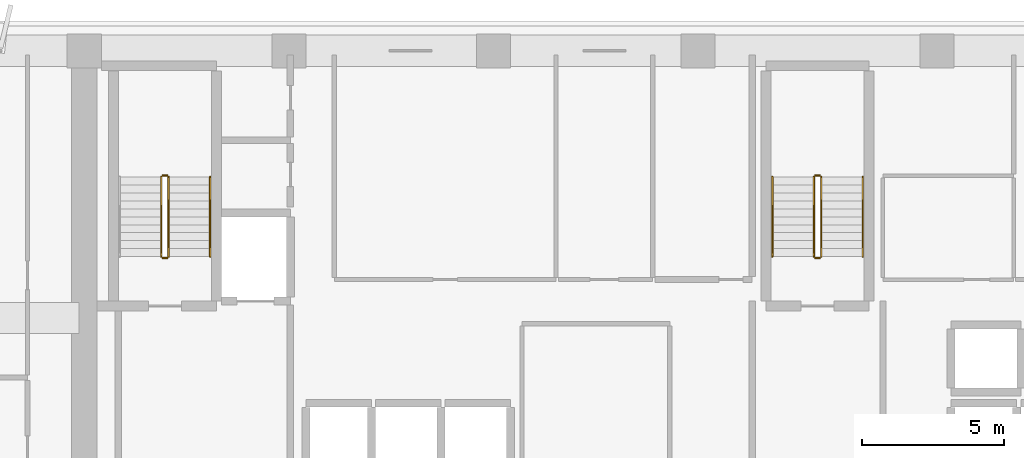
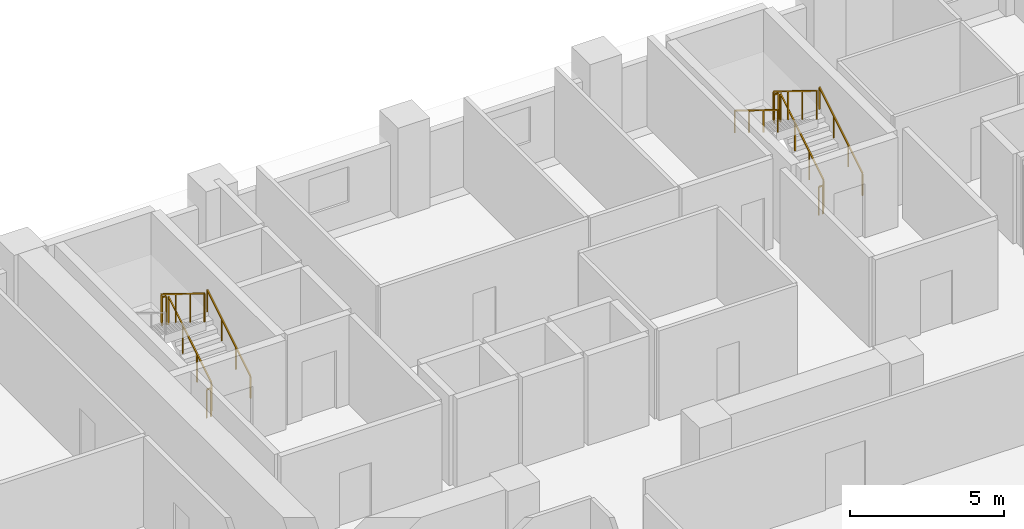
# One storey, part 14 of 16: 11 railings.
"""IFC4 building model written with IfcOpenShell, lengths in metres."""

from ifc_helpers import new_model, si_unit, direction, frame, origin, origin_2d, place, context, subcontext, project, spatial, rectangle, extrude, material, type_object, element, save


model = new_model("IFC4")

# Units and contexts
model_context = context("Model", 3, precision=1e-05, world=origin(), true_north=direction((0.0, 1.0)))
body_context = subcontext(model_context, "Body", "Model", "MODEL_VIEW")
ifc_project = project(units=[si_unit("LENGTHUNIT", "METRE"), si_unit("AREAUNIT", "SQUARE_METRE"), si_unit("VOLUMEUNIT", "CUBIC_METRE"), si_unit("PLANEANGLEUNIT", "RADIAN"), si_unit("MASSUNIT", "GRAM", prefix="KILO")], contexts=[model_context])

# Site, building, storey
site_placement = place(None, origin())
site = spatial("IfcSite", under=ifc_project, at=site_placement, CompositionType="ELEMENT")
building_placement = place(site_placement, origin())
building = spatial("IfcBuilding", under=site, at=building_placement, Name="Kaelvorn Grand Hotel", CompositionType="ELEMENT")
storey_placement = place(building_placement, frame((0.0, 0.0, 135.35009765625)))
storey = spatial("IfcBuildingStorey", under=building, at=storey_placement, Name="L32", CompositionType="ELEMENT", Elevation=135.35009765625)

# Railings
ifc_material = material(Name="Stainless Steel", Category="steel")
railing_type_1 = type_object("IfcRailingType", Name="RL-HANDRAIL-900", PredefinedType="HANDRAIL", material=ifc_material)
for number, where, name in (
    (1, (20.6298828125, 41.760009765625, 0.172607421875), "L32 ST1 stair handrail 1"),
    (2, (43.590087890625, 41.760009765625, 0.172607421875), "L32 ST2 stair handrail 1"),
):
    element("IfcRailing", number, at=place(storey_placement, frame(where)), inside=storey, type_object=railing_type_1, Name=name, PredefinedType="HANDRAIL", context=body_context, shape_type="SweptSolid", body=[
        extrude(rectangle(XDim=0.048095703125, YDim=0.048095703125, at=origin_2d()), frame((0.0, 0.0, 0.8759765625), z_axis=(0.0, 0.851089632645, 0.525020415988), x_axis=(-1.0, 0.0, 0.0)), (0.0, 0.0, 1.0), 3.2900390625),
        extrude(rectangle(XDim=0.0419921875, YDim=0.0419921875, at=origin_2d()), origin(), (0.0, 0.0, 1.0), 0.851806640625),
        extrude(rectangle(XDim=0.0419921875, YDim=0.0419921875, at=origin_2d()), frame((0.0, 0.933349609375, 0.57568359375)), (0.0, 0.0, 1.0), 0.851806640625),
        extrude(rectangle(XDim=0.0419921875, YDim=0.0419921875, at=origin_2d()), frame((0.0, 1.86669921875, 1.151611328125)), (0.0, 0.0, 1.0), 0.851806640625),
        extrude(rectangle(XDim=0.0419921875, YDim=0.0419921875, at=origin_2d()), frame((0.0, 2.800048828125, 1.727294921875)), (0.0, 0.0, 1.0), 0.851806640625),
    ])
railing_1_placement = place(storey_placement, frame((40.409912109375, 44.56005859375, 2.072509765625)))
element("IfcRailing", 3, at=railing_1_placement, inside=storey, type_object=railing_type_1, Name="L32 ST2 stair handrail 2", PredefinedType="HANDRAIL", context=body_context, shape_type="SweptSolid", body=[
    extrude(rectangle(XDim=0.048095703125, YDim=0.048095703125, at=origin_2d()), frame((0.0, 0.0, 0.8759765625), z_axis=(0.0, -0.851089632645, 0.525020415988), x_axis=(1.0, 0.0, 0.0)), (0.0, 0.0, 1.0), 3.2900390625),
    extrude(rectangle(XDim=0.0419921875, YDim=0.0419921875, at=origin_2d()), origin(), (0.0, 0.0, 1.0), 0.851806640625),
    extrude(rectangle(XDim=0.0419921875, YDim=0.0419921875, at=origin_2d()), frame((0.0, -0.933349609375, 0.57568359375)), (0.0, 0.0, 1.0), 0.851806640625),
    extrude(rectangle(XDim=0.0419921875, YDim=0.0419921875, at=origin_2d()), frame((0.0, -1.86669921875, 1.151611328125)), (0.0, 0.0, 1.0), 0.851806640625),
    extrude(rectangle(XDim=0.0419921875, YDim=0.0419921875, at=origin_2d()), frame((0.0, -2.800048828125, 1.727294921875)), (0.0, 0.0, 1.0), 0.851806640625),
])
railing_type_2 = type_object("IfcRailingType", Name="RL-STAIR-GUARD-1150", PredefinedType="BALUSTRADE", material=ifc_material)
railing_2_placement = place(storey_placement, frame((19.169921875, 41.760009765625, 0.172607421875)))
element("IfcRailing", 4, at=railing_2_placement, inside=storey, type_object=railing_type_2, Name="L32 ST1 stair guard 1", PredefinedType="BALUSTRADE", context=body_context, shape_type="SweptSolid", body=[
    extrude(rectangle(XDim=0.048095703125, YDim=0.048095703125, at=origin_2d()), frame((0.0, 0.0, 1.1259765625), z_axis=(0.0, 0.851089632645, 0.525020415988), x_axis=(-1.0, 0.0, 0.0)), (0.0, 0.0, 1.0), 3.2900390625),
    extrude(rectangle(XDim=0.0419921875, YDim=0.0419921875, at=origin_2d()), origin(), (0.0, 0.0, 1.0), 1.101806640625),
    extrude(rectangle(XDim=0.0419921875, YDim=0.0419921875, at=origin_2d()), frame((0.0, 0.933349609375, 0.57568359375)), (0.0, 0.0, 1.0), 1.101806640625),
    extrude(rectangle(XDim=0.0419921875, YDim=0.0419921875, at=origin_2d()), frame((0.0, 1.86669921875, 1.151611328125)), (0.0, 0.0, 1.0), 1.101806640625),
    extrude(rectangle(XDim=0.0419921875, YDim=0.0419921875, at=origin_2d()), frame((0.0, 2.800048828125, 1.727294921875)), (0.0, 0.0, 1.0), 1.101806640625),
])
railing_3_placement = place(storey_placement, frame((19.1201171875, 44.610107421875, 1.89990234375)))
element("IfcRailing", 5, at=railing_3_placement, inside=storey, type_object=railing_type_2, Name="L32 ST1 stair guard 2", PredefinedType="BALUSTRADE", context=body_context, shape_type="SweptSolid", body=[
    extrude(rectangle(XDim=0.048095703125, YDim=0.048095703125, at=origin_2d()), frame((0.0, 0.0, 1.1259765625), z_axis=(-1.0, 0.0, 0.0), x_axis=(0.0, -1.0, 0.0)), (0.0, 0.0, 1.0), 0.16015625),
    extrude(rectangle(XDim=0.0419921875, YDim=0.0419921875, at=origin_2d()), origin(), (0.0, 0.0, 1.0), 1.101806640625),
    extrude(rectangle(XDim=0.0419921875, YDim=0.0419921875, at=origin_2d()), frame((-0.16015625, 0.0, 0.0)), (0.0, 0.0, 1.0), 1.101806640625),
])
railing_4_placement = place(storey_placement, frame((18.909912109375, 44.56005859375, 2.072509765625)))
element("IfcRailing", 6, at=railing_4_placement, inside=storey, type_object=railing_type_2, Name="L32 ST1 stair guard 3", PredefinedType="BALUSTRADE", context=body_context, shape_type="SweptSolid", body=[
    extrude(rectangle(XDim=0.048095703125, YDim=0.048095703125, at=origin_2d()), frame((0.0, 0.0, 1.1259765625), z_axis=(0.0, -0.851089632645, 0.525020415988), x_axis=(1.0, 0.0, 0.0)), (0.0, 0.0, 1.0), 3.2900390625),
    extrude(rectangle(XDim=0.0419921875, YDim=0.0419921875, at=origin_2d()), origin(), (0.0, 0.0, 1.0), 1.101806640625),
    extrude(rectangle(XDim=0.0419921875, YDim=0.0419921875, at=origin_2d()), frame((0.0, -0.933349609375, 0.57568359375)), (0.0, 0.0, 1.0), 1.101806640625),
    extrude(rectangle(XDim=0.0419921875, YDim=0.0419921875, at=origin_2d()), frame((0.0, -1.86669921875, 1.151611328125)), (0.0, 0.0, 1.0), 1.101806640625),
    extrude(rectangle(XDim=0.0419921875, YDim=0.0419921875, at=origin_2d()), frame((0.0, -2.800048828125, 1.727294921875)), (0.0, 0.0, 1.0), 1.101806640625),
])
railing_5_placement = place(storey_placement, frame((19.1201171875, 41.7099609375, 0.0)))
element("IfcRailing", 7, at=railing_5_placement, inside=storey, type_object=railing_type_2, Name="L32 ST1 stair guard 4", PredefinedType="BALUSTRADE", context=body_context, shape_type="SweptSolid", body=[
    extrude(rectangle(XDim=0.048095703125, YDim=0.048095703125, at=origin_2d()), frame((0.0, 0.0, 1.1259765625), z_axis=(-1.0, 0.0, 0.0), x_axis=(0.0, -1.0, 0.0)), (0.0, 0.0, 1.0), 0.16015625),
    extrude(rectangle(XDim=0.0419921875, YDim=0.0419921875, at=origin_2d()), origin(), (0.0, 0.0, 1.0), 1.101806640625),
    extrude(rectangle(XDim=0.0419921875, YDim=0.0419921875, at=origin_2d()), frame((-0.16015625, 0.0, 0.0)), (0.0, 0.0, 1.0), 1.101806640625),
])
railing_6_placement = place(storey_placement, frame((42.1298828125, 41.760009765625, 0.172607421875)))
element("IfcRailing", 8, at=railing_6_placement, inside=storey, type_object=railing_type_2, Name="L32 ST2 stair guard 1", PredefinedType="BALUSTRADE", context=body_context, shape_type="SweptSolid", body=[
    extrude(rectangle(XDim=0.048095703125, YDim=0.048095703125, at=origin_2d()), frame((0.0, 0.0, 1.1259765625), z_axis=(0.0, 0.851089632645, 0.525020415988), x_axis=(-1.0, 0.0, 0.0)), (0.0, 0.0, 1.0), 3.2900390625),
    extrude(rectangle(XDim=0.0419921875, YDim=0.0419921875, at=origin_2d()), origin(), (0.0, 0.0, 1.0), 1.101806640625),
    extrude(rectangle(XDim=0.0419921875, YDim=0.0419921875, at=origin_2d()), frame((0.0, 0.933349609375, 0.57568359375)), (0.0, 0.0, 1.0), 1.101806640625),
    extrude(rectangle(XDim=0.0419921875, YDim=0.0419921875, at=origin_2d()), frame((0.0, 1.86669921875, 1.151611328125)), (0.0, 0.0, 1.0), 1.101806640625),
    extrude(rectangle(XDim=0.0419921875, YDim=0.0419921875, at=origin_2d()), frame((0.0, 2.800048828125, 1.727294921875)), (0.0, 0.0, 1.0), 1.101806640625),
])
railing_7_placement = place(storey_placement, frame((42.080078125, 44.610107421875, 1.89990234375)))
element("IfcRailing", 9, at=railing_7_placement, inside=storey, type_object=railing_type_2, Name="L32 ST2 stair guard 2", PredefinedType="BALUSTRADE", context=body_context, shape_type="SweptSolid", body=[
    extrude(rectangle(XDim=0.048095703125, YDim=0.048095703125, at=origin_2d()), frame((0.0, 0.0, 1.1259765625), z_axis=(-1.0, 0.0, 0.0), x_axis=(0.0, -1.0, 0.0)), (0.0, 0.0, 1.0), 0.16015625),
    extrude(rectangle(XDim=0.0419921875, YDim=0.0419921875, at=origin_2d()), origin(), (0.0, 0.0, 1.0), 1.101806640625),
    extrude(rectangle(XDim=0.0419921875, YDim=0.0419921875, at=origin_2d()), frame((-0.16015625, 0.0, 0.0)), (0.0, 0.0, 1.0), 1.101806640625),
])
railing_8_placement = place(storey_placement, frame((41.8701171875, 44.56005859375, 2.072509765625)))
element("IfcRailing", 10, at=railing_8_placement, inside=storey, type_object=railing_type_2, Name="L32 ST2 stair guard 3", PredefinedType="BALUSTRADE", context=body_context, shape_type="SweptSolid", body=[
    extrude(rectangle(XDim=0.048095703125, YDim=0.048095703125, at=origin_2d()), frame((0.0, 0.0, 1.1259765625), z_axis=(0.0, -0.851089632645, 0.525020415988), x_axis=(1.0, 0.0, 0.0)), (0.0, 0.0, 1.0), 3.2900390625),
    extrude(rectangle(XDim=0.0419921875, YDim=0.0419921875, at=origin_2d()), origin(), (0.0, 0.0, 1.0), 1.101806640625),
    extrude(rectangle(XDim=0.0419921875, YDim=0.0419921875, at=origin_2d()), frame((0.0, -0.933349609375, 0.57568359375)), (0.0, 0.0, 1.0), 1.101806640625),
    extrude(rectangle(XDim=0.0419921875, YDim=0.0419921875, at=origin_2d()), frame((0.0, -1.86669921875, 1.151611328125)), (0.0, 0.0, 1.0), 1.101806640625),
    extrude(rectangle(XDim=0.0419921875, YDim=0.0419921875, at=origin_2d()), frame((0.0, -2.800048828125, 1.727294921875)), (0.0, 0.0, 1.0), 1.101806640625),
])
railing_9_placement = place(storey_placement, frame((42.080078125, 41.7099609375, 0.0)))
element("IfcRailing", 11, at=railing_9_placement, inside=storey, type_object=railing_type_2, Name="L32 ST2 stair guard 4", PredefinedType="BALUSTRADE", context=body_context, shape_type="SweptSolid", body=[
    extrude(rectangle(XDim=0.048095703125, YDim=0.048095703125, at=origin_2d()), frame((0.0, 0.0, 1.1259765625), z_axis=(-1.0, 0.0, 0.0), x_axis=(0.0, -1.0, 0.0)), (0.0, 0.0, 1.0), 0.16015625),
    extrude(rectangle(XDim=0.0419921875, YDim=0.0419921875, at=origin_2d()), origin(), (0.0, 0.0, 1.0), 1.101806640625),
    extrude(rectangle(XDim=0.0419921875, YDim=0.0419921875, at=origin_2d()), frame((-0.16015625, 0.0, 0.0)), (0.0, 0.0, 1.0), 1.101806640625),
])

save(model, "model.ifc")
